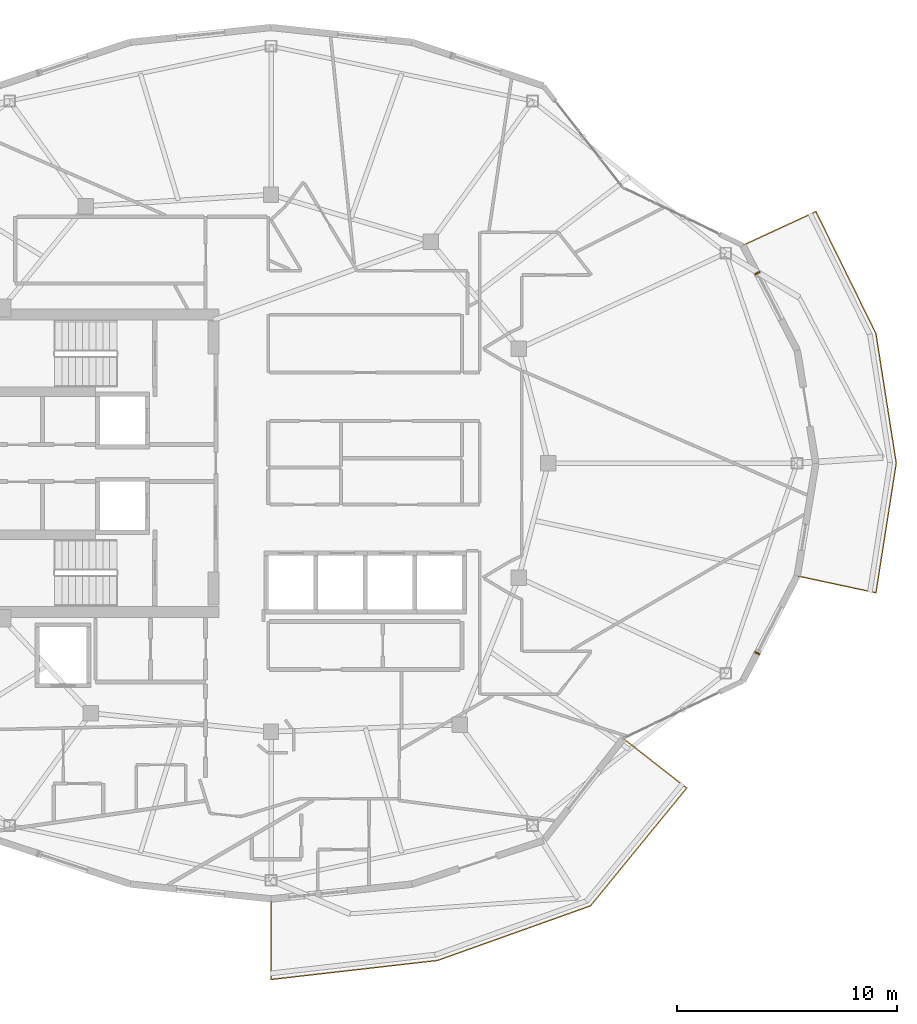
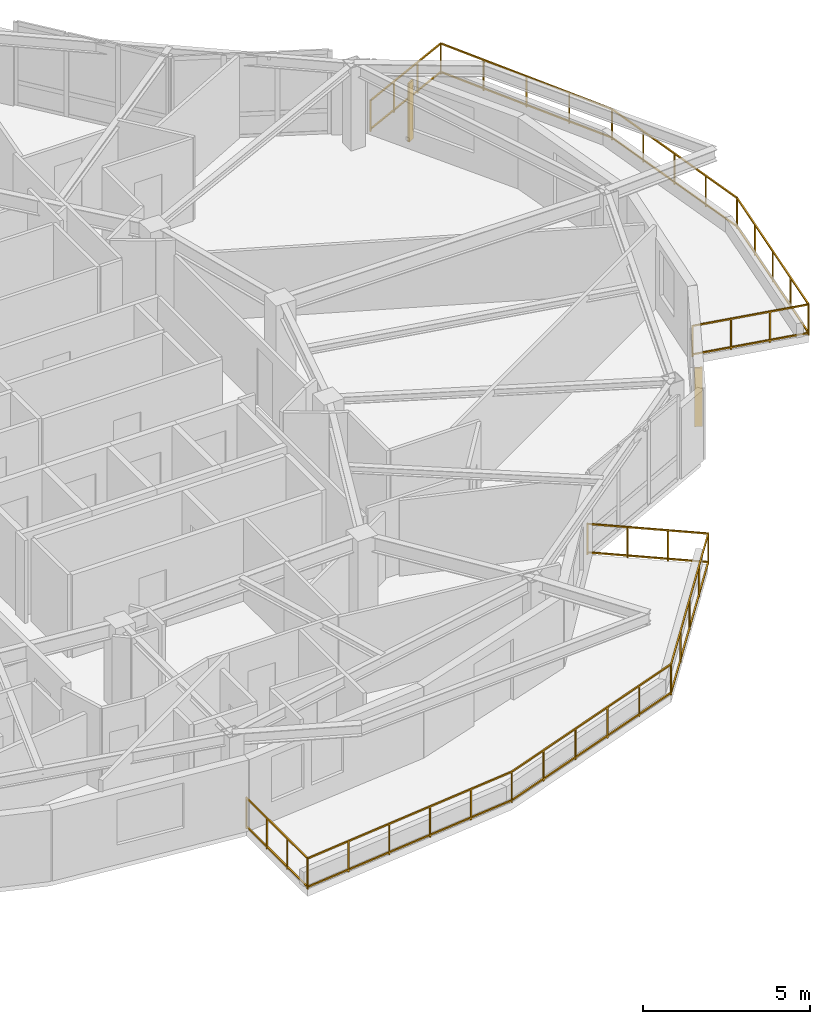
# One storey, part 13 of 14: 2 railings, 2 shading devices.
"""IFC4 building model written with IfcOpenShell, lengths in metres."""

from ifc_helpers import new_model, si_unit, direction, frame, origin, origin_2d, place, context, subcontext, project, spatial, rectangle, extrude, material, type_object, element, save


model = new_model("IFC4")

# Units and contexts
model_context = context("Model", 3, precision=1e-05, world=origin(), true_north=direction((0.0, 1.0)))
body_context = subcontext(model_context, "Body", "Model", "MODEL_VIEW")
ifc_project = project(units=[si_unit("LENGTHUNIT", "METRE"), si_unit("AREAUNIT", "SQUARE_METRE"), si_unit("VOLUMEUNIT", "CUBIC_METRE"), si_unit("PLANEANGLEUNIT", "RADIAN"), si_unit("MASSUNIT", "GRAM", prefix="KILO")], contexts=[model_context])

# Site, building, storey
site_placement = place(None, origin())
site = spatial("IfcSite", under=ifc_project, at=site_placement, CompositionType="ELEMENT")
building_placement = place(site_placement, origin())
building = spatial("IfcBuilding", under=site, at=building_placement, Name="Kolvaren Gate Tower and Convention Centre", CompositionType="ELEMENT")
storey_placement = place(building_placement, frame((0.0, 0.0, 232.699951171875)))
storey = spatial("IfcBuildingStorey", under=building, at=storey_placement, Name="L62", CompositionType="ELEMENT", Elevation=232.699951171875)

# Railings
ifc_material_1 = material(Name="Brushed Stainless Steel Grade 316L", Category="steel")
railing_type = type_object("IfcRailingType", Name="ARCH-RL-GUARD-1150", PredefinedType="GUARDRAIL", material=ifc_material_1)
railing_1_placement = place(storey_placement, frame((30.125, 7.199951171875, 0.0)))
element("IfcRailing", 1, at=railing_1_placement, inside=storey, type_object=railing_type, Name="Tower L62 Terrace Perimeter Guardrail GR-3", PredefinedType="GUARDRAIL", context=body_context, shape_type="SweptSolid", body=[
    extrude(rectangle(XDim=0.048095703125, YDim=0.048095703125, at=origin_2d()), frame((0.0, -0.028076171875, 1.1259765625), z_axis=(0.0, -1.0, 0.0), x_axis=(1.0, 0.0, 0.0)), (0.0, 0.0, 1.0), 3.603759765625),
    extrude(rectangle(XDim=0.048095703125, YDim=0.048095703125, at=origin_2d()), frame((0.0, -0.028076171875, 0.083984375), z_axis=(0.0, -1.0, 0.0), x_axis=(1.0, 0.0, 0.0)), (0.0, 0.0, 1.0), 3.603759765625),
    extrude(rectangle(XDim=0.048095703125, YDim=0.048095703125, at=origin_2d()), frame((0.02783203125, -3.65673828125, 1.1259765625), z_axis=(0.993542586276, 0.113459813395, 0.0), x_axis=(-0.113459813395, 0.993542586276, 0.0)), (0.0, 0.0, 1.0), 7.561279296875),
    extrude(rectangle(XDim=0.048095703125, YDim=0.048095703125, at=origin_2d()), frame((0.02783203125, -3.65673828125, 0.083984375), z_axis=(0.993542586276, 0.113459813395, 0.0), x_axis=(-0.113459813395, 0.993542586276, 0.0)), (0.0, 0.0, 1.0), 7.561279296875),
    extrude(rectangle(XDim=0.048095703125, YDim=0.048095703125, at=origin_2d()), frame((7.594482421875, -2.7861328125, 1.1259765625), z_axis=(0.941783827204, 0.336219010197, 0.0), x_axis=(-0.336219010197, 0.941783827204, 0.0)), (0.0, 0.0, 1.0), 7.322265625),
    extrude(rectangle(XDim=0.048095703125, YDim=0.048095703125, at=origin_2d()), frame((7.594482421875, -2.7861328125, 0.083984375), z_axis=(0.941783827204, 0.336219010197, 0.0), x_axis=(-0.336219010197, 0.941783827204, 0.0)), (0.0, 0.0, 1.0), 7.322265625),
    extrude(rectangle(XDim=0.048095703125, YDim=0.048095703125, at=origin_2d()), frame((14.53466796875, -0.293212890625, 1.1259765625), z_axis=(0.632718487063, 0.77438189295, 0.0), x_axis=(-0.77438189295, 0.632718487063, 0.0)), (0.0, 0.0, 1.0), 6.858154296875),
    extrude(rectangle(XDim=0.048095703125, YDim=0.048095703125, at=origin_2d()), frame((14.53466796875, -0.293212890625, 0.083984375), z_axis=(0.632718487063, 0.77438189295, 0.0), x_axis=(-0.77438189295, 0.632718487063, 0.0)), (0.0, 0.0, 1.0), 6.858154296875),
    extrude(rectangle(XDim=0.048095703125, YDim=0.048095703125, at=origin_2d()), frame((18.869384765625, 5.056640625, 1.1259765625), z_axis=(-0.787988976981, 0.61568934712, 0.0), x_axis=(-0.61568934712, -0.787988976981, 0.0)), (0.0, 0.0, 1.0), 3.60400390625),
    extrude(rectangle(XDim=0.048095703125, YDim=0.048095703125, at=origin_2d()), frame((18.869384765625, 5.056640625, 0.083984375), z_axis=(-0.787988976981, 0.61568934712, 0.0), x_axis=(-0.61568934712, -0.787988976981, 0.0)), (0.0, 0.0, 1.0), 3.60400390625),
    extrude(rectangle(XDim=0.0419921875, YDim=0.0419921875, at=origin_2d()), origin(), (0.0, 0.0, 1.0), 1.14990234375),
    extrude(rectangle(XDim=0.0419921875, YDim=0.0419921875, at=origin_2d()), frame((0.0, -3.659912109375, 0.0)), (0.0, 0.0, 1.0), 1.14990234375),
    extrude(rectangle(XDim=0.0419921875, YDim=0.0419921875, at=origin_2d()), frame((0.0, -1.219970703125, 0.0)), (0.0, 0.0, 1.0), 1.099853515625),
    extrude(rectangle(XDim=0.0419921875, YDim=0.0419921875, at=origin_2d()), frame((0.0, -2.43994140625, 0.0)), (0.0, 0.0, 1.0), 1.099853515625),
    extrude(rectangle(XDim=0.0419921875, YDim=0.0419921875, at=origin_2d()), frame((7.568115234375, -2.795654296875, 0.0)), (0.0, 0.0, 1.0), 1.14990234375),
    extrude(rectangle(XDim=0.0419921875, YDim=0.0419921875, at=origin_2d()), frame((1.513671875, -3.487060546875, 0.0)), (0.0, 0.0, 1.0), 1.099853515625),
    extrude(rectangle(XDim=0.0419921875, YDim=0.0419921875, at=origin_2d()), frame((3.02734375, -3.314208984375, 0.0)), (0.0, 0.0, 1.0), 1.099853515625),
    extrude(rectangle(XDim=0.0419921875, YDim=0.0419921875, at=origin_2d()), frame((4.540771484375, -3.141357421875, 0.0)), (0.0, 0.0, 1.0), 1.099853515625),
    extrude(rectangle(XDim=0.0419921875, YDim=0.0419921875, at=origin_2d()), frame((6.054443359375, -2.968505859375, 0.0)), (0.0, 0.0, 1.0), 1.099853515625),
    extrude(rectangle(XDim=0.0419921875, YDim=0.0419921875, at=origin_2d()), frame((14.516845703125, -0.31494140625, 0.0)), (0.0, 0.0, 1.0), 1.14990234375),
    extrude(rectangle(XDim=0.0419921875, YDim=0.0419921875, at=origin_2d()), frame((8.957763671875, -2.299560546875, 0.0)), (0.0, 0.0, 1.0), 1.099853515625),
    extrude(rectangle(XDim=0.0419921875, YDim=0.0419921875, at=origin_2d()), frame((10.34765625, -1.803466796875, 0.0)), (0.0, 0.0, 1.0), 1.099853515625),
    extrude(rectangle(XDim=0.0419921875, YDim=0.0419921875, at=origin_2d()), frame((11.7373046875, -1.30712890625, 0.0)), (0.0, 0.0, 1.0), 1.099853515625),
    extrude(rectangle(XDim=0.0419921875, YDim=0.0419921875, at=origin_2d()), frame((13.127197265625, -0.81103515625, 0.0)), (0.0, 0.0, 1.0), 1.099853515625),
    extrude(rectangle(XDim=0.0419921875, YDim=0.0419921875, at=origin_2d()), frame((18.8916015625, 5.039306640625, 0.0)), (0.0, 0.0, 1.0), 1.14990234375),
    extrude(rectangle(XDim=0.0419921875, YDim=0.0419921875, at=origin_2d()), frame((15.610595703125, 1.023681640625, 0.0)), (0.0, 0.0, 1.0), 1.099853515625),
    extrude(rectangle(XDim=0.0419921875, YDim=0.0419921875, at=origin_2d()), frame((16.7041015625, 2.3623046875, 0.0)), (0.0, 0.0, 1.0), 1.099853515625),
    extrude(rectangle(XDim=0.0419921875, YDim=0.0419921875, at=origin_2d()), frame((17.7978515625, 3.70068359375, 0.0)), (0.0, 0.0, 1.0), 1.099853515625),
    extrude(rectangle(XDim=0.0419921875, YDim=0.0419921875, at=origin_2d()), frame((16.007568359375, 7.292724609375, 0.0)), (0.0, 0.0, 1.0), 1.14990234375),
    extrude(rectangle(XDim=0.0419921875, YDim=0.0419921875, at=origin_2d()), frame((17.93017578125, 5.79052734375, 0.0)), (0.0, 0.0, 1.0), 1.099853515625),
    extrude(rectangle(XDim=0.0419921875, YDim=0.0419921875, at=origin_2d()), frame((16.968994140625, 6.54150390625, 0.0)), (0.0, 0.0, 1.0), 1.099853515625),
])
railing_2_placement = place(storey_placement, frame((54.03173828125, 21.87548828125, 0.0)))
element("IfcRailing", 2, at=railing_2_placement, inside=storey, type_object=railing_type, Name="Tower L62 Terrace Perimeter Guardrail GR-4", PredefinedType="GUARDRAIL", context=body_context, shape_type="SweptSolid", body=[
    extrude(rectangle(XDim=0.048095703125, YDim=0.048095703125, at=origin_2d()), frame((0.02734375, -0.005859375, 1.1259765625), z_axis=(0.977788745232, -0.209592866525, 0.0), x_axis=(0.209592866525, 0.977788745232, 0.0)), (0.0, 0.0, 1.0), 3.603759765625),
    extrude(rectangle(XDim=0.048095703125, YDim=0.048095703125, at=origin_2d()), frame((0.02734375, -0.005859375, 0.083984375), z_axis=(0.977788745232, -0.209592866525, 0.0), x_axis=(0.209592866525, 0.977788745232, 0.0)), (0.0, 0.0, 1.0), 3.603759765625),
    extrude(rectangle(XDim=0.048095703125, YDim=0.048095703125, at=origin_2d()), frame((3.5830078125, -0.739501953125, 1.1259765625), z_axis=(0.155031225865, 0.987909570258, 0.0), x_axis=(-0.987909570258, 0.155031225865, 0.0)), (0.0, 0.0, 1.0), 5.90771484375),
    extrude(rectangle(XDim=0.048095703125, YDim=0.048095703125, at=origin_2d()), frame((3.5830078125, -0.739501953125, 0.083984375), z_axis=(0.155031225865, 0.987909570258, 0.0), x_axis=(-0.987909570258, 0.155031225865, 0.0)), (0.0, 0.0, 1.0), 5.90771484375),
    extrude(rectangle(XDim=0.048095703125, YDim=0.048095703125, at=origin_2d()), frame((4.498779296875, 5.152099609375, 1.1259765625), z_axis=(-0.155031225865, 0.987909570258, 0.0), x_axis=(-0.987909570258, -0.155031225865, 0.0)), (0.0, 0.0, 1.0), 5.90771484375),
    extrude(rectangle(XDim=0.048095703125, YDim=0.048095703125, at=origin_2d()), frame((4.498779296875, 5.152099609375, 0.083984375), z_axis=(-0.155031225865, 0.987909570258, 0.0), x_axis=(-0.987909570258, -0.155031225865, 0.0)), (0.0, 0.0, 1.0), 5.90771484375),
    extrude(rectangle(XDim=0.048095703125, YDim=0.048095703125, at=origin_2d()), frame((3.566162109375, 11.041259765625, 1.1259765625), z_axis=(-0.441625304244, 0.897199582396, 0.0), x_axis=(-0.897199582396, -0.441625304244, 0.0)), (0.0, 0.0, 1.0), 6.122314453125),
    extrude(rectangle(XDim=0.048095703125, YDim=0.048095703125, at=origin_2d()), frame((3.566162109375, 11.041259765625, 0.083984375), z_axis=(-0.441625304244, 0.897199582396, 0.0), x_axis=(-0.897199582396, -0.441625304244, 0.0)), (0.0, 0.0, 1.0), 6.122314453125),
    extrude(rectangle(XDim=0.048095703125, YDim=0.048095703125, at=origin_2d()), frame((0.82470703125, 16.547607421875, 1.1259765625), z_axis=(-0.907820723829, -0.419358478377, 0.0), x_axis=(0.419358478377, -0.907820723829, 0.0)), (0.0, 0.0, 1.0), 3.60400390625),
    extrude(rectangle(XDim=0.048095703125, YDim=0.048095703125, at=origin_2d()), frame((0.82470703125, 16.547607421875, 0.083984375), z_axis=(-0.907820723829, -0.419358478377, 0.0), x_axis=(0.419358478377, -0.907820723829, 0.0)), (0.0, 0.0, 1.0), 3.60400390625),
    extrude(rectangle(XDim=0.0419921875, YDim=0.0419921875, at=origin_2d()), origin(), (0.0, 0.0, 1.0), 1.14990234375),
    extrude(rectangle(XDim=0.0419921875, YDim=0.0419921875, at=origin_2d()), frame((3.57861328125, -0.76708984375, 0.0)), (0.0, 0.0, 1.0), 1.14990234375),
    extrude(rectangle(XDim=0.0419921875, YDim=0.0419921875, at=origin_2d()), frame((1.19287109375, -0.255615234375, 0.0)), (0.0, 0.0, 1.0), 1.099853515625),
    extrude(rectangle(XDim=0.0419921875, YDim=0.0419921875, at=origin_2d()), frame((2.3857421875, -0.511474609375, 0.0)), (0.0, 0.0, 1.0), 1.099853515625),
    extrude(rectangle(XDim=0.0419921875, YDim=0.0419921875, at=origin_2d()), frame((4.503173828125, 5.12451171875, 0.0)), (0.0, 0.0, 1.0), 1.14990234375),
    extrude(rectangle(XDim=0.0419921875, YDim=0.0419921875, at=origin_2d()), frame((3.809814453125, 0.705810546875, 0.0)), (0.0, 0.0, 1.0), 1.099853515625),
    extrude(rectangle(XDim=0.0419921875, YDim=0.0419921875, at=origin_2d()), frame((4.041015625, 2.1787109375, 0.0)), (0.0, 0.0, 1.0), 1.099853515625),
    extrude(rectangle(XDim=0.0419921875, YDim=0.0419921875, at=origin_2d()), frame((4.27197265625, 3.651611328125, 0.0)), (0.0, 0.0, 1.0), 1.099853515625),
    extrude(rectangle(XDim=0.0419921875, YDim=0.0419921875, at=origin_2d()), frame((3.57861328125, 11.01611328125, 0.0)), (0.0, 0.0, 1.0), 1.14990234375),
    extrude(rectangle(XDim=0.0419921875, YDim=0.0419921875, at=origin_2d()), frame((4.27197265625, 6.597412109375, 0.0)), (0.0, 0.0, 1.0), 1.099853515625),
    extrude(rectangle(XDim=0.0419921875, YDim=0.0419921875, at=origin_2d()), frame((4.041015625, 8.0703125, 0.0)), (0.0, 0.0, 1.0), 1.099853515625),
    extrude(rectangle(XDim=0.0419921875, YDim=0.0419921875, at=origin_2d()), frame((3.809814453125, 9.543212890625, 0.0)), (0.0, 0.0, 1.0), 1.099853515625),
    extrude(rectangle(XDim=0.0419921875, YDim=0.0419921875, at=origin_2d()), frame((0.85009765625, 16.559326171875, 0.0)), (0.0, 0.0, 1.0), 1.14990234375),
    extrude(rectangle(XDim=0.0419921875, YDim=0.0419921875, at=origin_2d()), frame((2.896484375, 12.40185546875, 0.0)), (0.0, 0.0, 1.0), 1.099853515625),
    extrude(rectangle(XDim=0.0419921875, YDim=0.0419921875, at=origin_2d()), frame((2.21435546875, 13.78759765625, 0.0)), (0.0, 0.0, 1.0), 1.099853515625),
    extrude(rectangle(XDim=0.0419921875, YDim=0.0419921875, at=origin_2d()), frame((1.5322265625, 15.173583984375, 0.0)), (0.0, 0.0, 1.0), 1.099853515625),
    extrude(rectangle(XDim=0.0419921875, YDim=0.0419921875, at=origin_2d()), frame((-2.47265625, 15.0244140625, 0.0)), (0.0, 0.0, 1.0), 1.14990234375),
    extrude(rectangle(XDim=0.0419921875, YDim=0.0419921875, at=origin_2d()), frame((-0.257568359375, 16.047607421875, 0.0)), (0.0, 0.0, 1.0), 1.099853515625),
    extrude(rectangle(XDim=0.0419921875, YDim=0.0419921875, at=origin_2d()), frame((-1.364990234375, 15.5361328125, 0.0)), (0.0, 0.0, 1.0), 1.099853515625),
])

# Shading devices
ifc_material_2 = material(Name="Kiln-Fired Bogota Terracotta Ceramic Louvre Profile", Category="masonry")
shading_device_type = type_object("IfcShadingDeviceType", Name="ARCH-SHD-FIN-180", PredefinedType="JALOUSIE", material=ifc_material_2)
for number, where, z_axis, x_axis, name in (
    (3, (52.21630859375, 35.631103515625, 0.22021484375), (0.0, 0.0, 1.0), (0.459799959359, -0.888022520758, 0.0), "Ceramic Vertical Brise-Soleil Fin FN-L62-01"),
    (4, (52.21630859375, 18.368896484375, 0.22021484375), (0.0, 0.0, 1.0), (0.459799959359, 0.888022520758, 0.0), "Ceramic Vertical Brise-Soleil Fin FN-L62-22"),
):
    element("IfcShadingDevice", number, at=place(storey_placement, frame(where, z_axis=z_axis, x_axis=x_axis)), inside=storey, type_object=shading_device_type, Name=name, PredefinedType="JALOUSIE", context=body_context, shape_type="SweptSolid", body=[
        extrude(rectangle(XDim=0.06005859375, YDim=0.239990234375, at=origin_2d()), origin(), (0.0, 0.0, 1.0), 2.14990234375),
    ])

save(model, "model.ifc")
